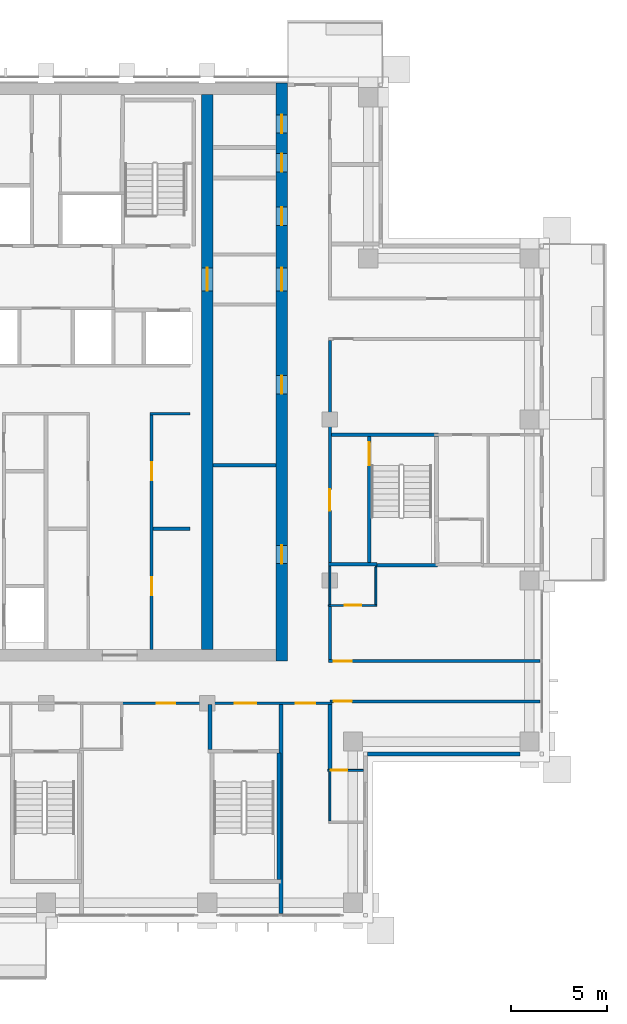
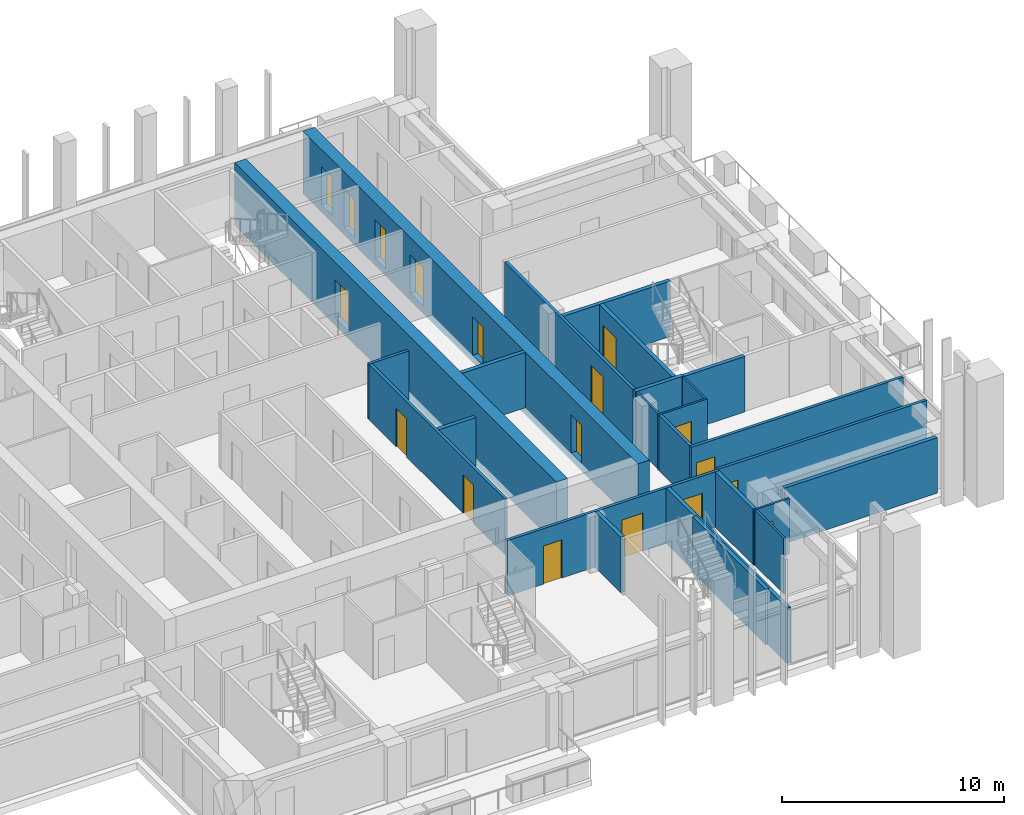
# One storey, part 9 of 17: 25 walls, 18 doors, 18 openings.
"""IFC4 building model written with IfcOpenShell, lengths in metres."""

from ifc_helpers import new_model, si_unit, direction, frame, frame_2d, origin, place, context, subcontext, project, spatial, rectangle, extrude, material, layer, layer_set, type_object, element, fill, save


model = new_model("IFC4")

# Units and contexts
model_context = context("Model", 3, precision=1e-05, world=origin(), true_north=direction((0.0, 1.0)))
body_context = subcontext(model_context, "Body", "Model", "MODEL_VIEW")
ifc_project = project(units=[si_unit("LENGTHUNIT", "METRE"), si_unit("AREAUNIT", "SQUARE_METRE"), si_unit("VOLUMEUNIT", "CUBIC_METRE"), si_unit("PLANEANGLEUNIT", "RADIAN"), si_unit("MASSUNIT", "GRAM", prefix="KILO")], contexts=[model_context])

# Site, building, storey
site_placement = place(None, origin())
site = spatial("IfcSite", under=ifc_project, at=site_placement, CompositionType="ELEMENT")
building_placement = place(site_placement, origin())
building = spatial("IfcBuilding", under=site, at=building_placement, Name="Vermilion Ogive Tower", CompositionType="ELEMENT")
storey_placement = place(building_placement, frame((0.0, 0.0, 192.800048828125)))
storey = spatial("IfcBuildingStorey", under=building, at=storey_placement, Name="L50", CompositionType="ELEMENT", Elevation=192.800048828125)

# Wall, openings, doors
ifc_material_1 = material(Name="Concrete B60", Category="concrete")
ifc_layer_1 = layer(ifc_material_1, 0.60009765625)
ifc_layer_set_1 = layer_set([ifc_layer_1], Name="Core wall 600 B60")
wall_type_1 = type_object("IfcWallType", Name="Core wall 600 B60", PredefinedType="SHEAR", material=ifc_layer_set_1)
wall_1_placement = place(storey_placement, frame((12.300048828125, -8.39990234375, -0.400146484375), z_axis=(0.0, 0.0, 1.0), x_axis=(0.0, 1.0, 0.0)))
wall_1 = element("IfcWall", 1, at=wall_1_placement, inside=storey, type_object=wall_type_1, Name="L50-CORE-E", PredefinedType="SHEAR", context=body_context, shape_type="SweptSolid", body=[
    extrude(rectangle(XDim=30.14990234375, YDim=0.60009765625, at=frame_2d((15.074951171875, 0.0))), origin(), (0.0, 0.0, 1.0), 3.4501953125),
])
opening_1_placement = place(wall_1_placement, frame((5.0830078125, 0.0, 0.39990234375)))
opening_1 = element("IfcOpeningElement", 2, at=opening_1_placement, cuts=wall_1, Name="Opening DAC078", PredefinedType="OPENING", context=body_context, shape_type="SweptSolid", body=[
    extrude(rectangle(XDim=0.949951171875, YDim=2.10009765625, at=frame_2d((0.47509765625, 1.050048828125))), frame((0.0, 0.31005859375, 0.0), z_axis=(0.0, -1.0, 0.0), x_axis=(1.0, 0.0, 0.0)), (0.0, 0.0, 1.0), 0.6201171875),
])
opening_2_placement = place(wall_1_placement, frame((13.932861328125, 0.0, 0.39990234375)))
opening_2 = element("IfcOpeningElement", 3, at=opening_2_placement, cuts=wall_1, Name="Opening DAC079", PredefinedType="OPENING", context=body_context, shape_type="SweptSolid", body=[
    extrude(rectangle(XDim=0.949951171875, YDim=2.10009765625, at=frame_2d((0.47509765625, 1.050048828125))), frame((0.0, 0.31005859375, 0.0), z_axis=(0.0, -1.0, 0.0), x_axis=(1.0, 0.0, 0.0)), (0.0, 0.0, 1.0), 0.6201171875),
])
opening_3_placement = place(wall_1_placement, frame((22.718994140625, 0.0, 0.39990234375)))
opening_3 = element("IfcOpeningElement", 4, at=opening_3_placement, cuts=wall_1, Name="Opening DAC080", PredefinedType="OPENING", context=body_context, shape_type="SweptSolid", body=[
    extrude(rectangle(XDim=0.949951171875, YDim=2.10009765625, at=frame_2d((0.47509765625, 1.050048828125))), frame((0.0, 0.31005859375, 0.0), z_axis=(0.0, -1.0, 0.0), x_axis=(1.0, 0.0, 0.0)), (0.0, 0.0, 1.0), 0.6201171875),
])
opening_4_placement = place(wall_1_placement, frame((25.505615234375, 0.0, 0.39990234375)))
opening_4 = element("IfcOpeningElement", 5, at=opening_4_placement, cuts=wall_1, Name="Opening DAC081", PredefinedType="OPENING", context=body_context, shape_type="SweptSolid", body=[
    extrude(rectangle(XDim=0.949951171875, YDim=2.10009765625, at=frame_2d((0.47509765625, 1.050048828125))), frame((0.0, 0.31005859375, 0.0), z_axis=(0.0, -1.0, 0.0), x_axis=(1.0, 0.0, 0.0)), (0.0, 0.0, 1.0), 0.6201171875),
])
opening_5_placement = place(wall_1_placement, frame((27.53662109375, 0.0, 0.39990234375)))
opening_5 = element("IfcOpeningElement", 6, at=opening_5_placement, cuts=wall_1, Name="Opening DAC082", PredefinedType="OPENING", context=body_context, shape_type="SweptSolid", body=[
    extrude(rectangle(XDim=0.949951171875, YDim=2.10009765625, at=frame_2d((0.47509765625, 1.050048828125))), frame((0.0, 0.31005859375, 0.0), z_axis=(0.0, -1.0, 0.0), x_axis=(1.0, 0.0, 0.0)), (0.0, 0.0, 1.0), 0.6201171875),
])
opening_6_placement = place(wall_1_placement, frame((19.300048828125, 0.0, 0.39990234375)))
opening_6 = element("IfcOpeningElement", 7, at=opening_6_placement, cuts=wall_1, Name="Opening DAL020", PredefinedType="OPENING", context=body_context, shape_type="SweptSolid", body=[
    extrude(rectangle(XDim=1.199951171875, YDim=2.10009765625, at=frame_2d((0.60009765625, 1.050048828125))), frame((0.0, 0.31005859375, 0.0), z_axis=(0.0, -1.0, 0.0), x_axis=(1.0, 0.0, 0.0)), (0.0, 0.0, 1.0), 0.6201171875),
])
ifc_material_2 = material(Name="Timber door leaf", Category="wood")
door_type_1 = type_object("IfcDoorType", Name="Link door 1200 x 2100 FD60S", OperationType="SINGLE_SWING_LEFT", PredefinedType="DOOR", material=ifc_material_2)
door_1_placement = place(opening_6_placement, origin())
door_1 = element("IfcDoor", 8, at=door_1_placement, inside=storey, type_object=door_type_1, Name="L50-CKE-XL", OperationType="SINGLE_SWING_LEFT", OverallHeight=2.10009765625, OverallWidth=1.199951171875, PredefinedType="DOOR", context=body_context, shape_type="SweptSolid", body=[
    extrude(rectangle(XDim=1.199951171875, YDim=2.10009765625, at=frame_2d((0.60009765625, 1.050048828125))), frame((0.0, 0.02490234375, 0.0), z_axis=(0.0, -1.0, 0.0), x_axis=(1.0, 0.0, 0.0)), (0.0, 0.0, 1.0), 0.050048828125),
])
fill(opening_6, door_1)
ifc_material_3 = material(Name="Timber door leaf", Category="wood")
door_type_2 = type_object("IfcDoorType", Name="Service door 950 x 2100 FD60", OperationType="SINGLE_SWING_LEFT", PredefinedType="DOOR", material=ifc_material_3)
door_2_placement = place(opening_1_placement, origin())
door_2 = element("IfcDoor", 9, at=door_2_placement, inside=storey, type_object=door_type_2, Name="L50-CKE-XR0", OperationType="SINGLE_SWING_LEFT", OverallHeight=2.10009765625, OverallWidth=0.949951171875, PredefinedType="DOOR", context=body_context, shape_type="SweptSolid", body=[
    extrude(rectangle(XDim=0.949951171875, YDim=2.10009765625, at=frame_2d((0.47509765625, 1.050048828125))), frame((0.0, 0.02490234375, 0.0), z_axis=(0.0, -1.0, 0.0), x_axis=(1.0, 0.0, 0.0)), (0.0, 0.0, 1.0), 0.050048828125),
])
fill(opening_1, door_2)
door_3_placement = place(opening_2_placement, origin())
door_3 = element("IfcDoor", 10, at=door_3_placement, inside=storey, type_object=door_type_2, Name="L50-CKE-XR1", OperationType="SINGLE_SWING_LEFT", OverallHeight=2.10009765625, OverallWidth=0.949951171875, PredefinedType="DOOR", context=body_context, shape_type="SweptSolid", body=[
    extrude(rectangle(XDim=0.949951171875, YDim=2.10009765625, at=frame_2d((0.47509765625, 1.050048828125))), frame((0.0, 0.02490234375, 0.0), z_axis=(0.0, -1.0, 0.0), x_axis=(1.0, 0.0, 0.0)), (0.0, 0.0, 1.0), 0.050048828125),
])
fill(opening_2, door_3)
door_4_placement = place(opening_3_placement, origin())
door_4 = element("IfcDoor", 11, at=door_4_placement, inside=storey, type_object=door_type_2, Name="L50-CKE-XR2", OperationType="SINGLE_SWING_LEFT", OverallHeight=2.10009765625, OverallWidth=0.949951171875, PredefinedType="DOOR", context=body_context, shape_type="SweptSolid", body=[
    extrude(rectangle(XDim=0.949951171875, YDim=2.10009765625, at=frame_2d((0.47509765625, 1.050048828125))), frame((0.0, 0.02490234375, 0.0), z_axis=(0.0, -1.0, 0.0), x_axis=(1.0, 0.0, 0.0)), (0.0, 0.0, 1.0), 0.050048828125),
])
fill(opening_3, door_4)
door_5_placement = place(opening_4_placement, origin())
door_5 = element("IfcDoor", 12, at=door_5_placement, inside=storey, type_object=door_type_2, Name="L50-CKE-XR3", OperationType="SINGLE_SWING_LEFT", OverallHeight=2.10009765625, OverallWidth=0.949951171875, PredefinedType="DOOR", context=body_context, shape_type="SweptSolid", body=[
    extrude(rectangle(XDim=0.949951171875, YDim=2.10009765625, at=frame_2d((0.47509765625, 1.050048828125))), frame((0.0, 0.02490234375, 0.0), z_axis=(0.0, -1.0, 0.0), x_axis=(1.0, 0.0, 0.0)), (0.0, 0.0, 1.0), 0.050048828125),
])
fill(opening_4, door_5)
door_6_placement = place(opening_5_placement, origin())
door_6 = element("IfcDoor", 13, at=door_6_placement, inside=storey, type_object=door_type_2, Name="L50-CKE-XR4", OperationType="SINGLE_SWING_LEFT", OverallHeight=2.10009765625, OverallWidth=0.949951171875, PredefinedType="DOOR", context=body_context, shape_type="SweptSolid", body=[
    extrude(rectangle(XDim=0.949951171875, YDim=2.10009765625, at=frame_2d((0.47509765625, 1.050048828125))), frame((0.0, 0.02490234375, 0.0), z_axis=(0.0, -1.0, 0.0), x_axis=(1.0, 0.0, 0.0)), (0.0, 0.0, 1.0), 0.050048828125),
])
fill(opening_5, door_6)

# Wall, opening, door
wall_2_placement = place(storey_placement, frame((8.39990234375, -7.800048828125, -0.400146484375), z_axis=(0.0, 0.0, 1.0), x_axis=(0.0, 1.0, 0.0)))
wall_2 = element("IfcWall", 14, at=wall_2_placement, inside=storey, type_object=wall_type_1, Name="L50-CORE-WEB2", PredefinedType="SHEAR", context=body_context, shape_type="SweptSolid", body=[
    extrude(rectangle(XDim=28.949951171875, YDim=0.60009765625, at=frame_2d((14.47509765625, 0.0))), origin(), (0.0, 0.0, 1.0), 3.4501953125),
])
opening_7_placement = place(wall_2_placement, frame((18.699951171875, 0.0, 0.39990234375)))
opening_7 = element("IfcOpeningElement", 15, at=opening_7_placement, cuts=wall_2, Name="Opening DAO015", PredefinedType="OPENING", context=body_context, shape_type="SweptSolid", body=[
    extrude(rectangle(XDim=1.199951171875, YDim=2.10009765625, at=frame_2d((0.60009765625, 1.050048828125))), frame((0.0, 0.31005859375, 0.0), z_axis=(0.0, -1.0, 0.0), x_axis=(1.0, 0.0, 0.0)), (0.0, 0.0, 1.0), 0.6201171875),
])
door_7_placement = place(opening_7_placement, origin())
door_7 = element("IfcDoor", 16, at=door_7_placement, inside=storey, type_object=door_type_1, Name="L50-CKE-XW", OperationType="SINGLE_SWING_LEFT", OverallHeight=2.10009765625, OverallWidth=1.199951171875, PredefinedType="DOOR", context=body_context, shape_type="SweptSolid", body=[
    extrude(rectangle(XDim=1.199951171875, YDim=2.10009765625, at=frame_2d((0.60009765625, 1.050048828125))), frame((0.0, 0.02490234375, 0.0), z_axis=(0.0, -1.0, 0.0), x_axis=(1.0, 0.0, 0.0)), (0.0, 0.0, 1.0), 0.050048828125),
])
fill(opening_7, door_7)

ifc_material_4 = material(Name="Gypsum board partition on steel studs", Category="steel")
ifc_layer_2 = layer(ifc_material_4, 0.10009765625)
ifc_layer_set_2 = layer_set([ifc_layer_2], Name="Partition 100 bath")
wall_type_2 = type_object("IfcWallType", Name="Partition 100 bath", PredefinedType="PARTITIONING", material=ifc_layer_set_2)
wall_3_placement = place(storey_placement, frame((14.699951171875, -14.10009765625, 0.0), z_axis=(0.0, 0.0, 1.0), x_axis=(1.0, 0.0, 0.0)))
wall_3 = element("IfcWall", 17, at=wall_3_placement, inside=storey, type_object=wall_type_2, Name="L50-W-W006", PredefinedType="PARTITIONING", context=body_context, shape_type="SweptSolid", body=[
    extrude(rectangle(XDim=1.85009765625, YDim=0.10009765625, at=frame_2d((0.925048828125, 0.0))), origin(), (0.0, 0.0, 1.0), 3.050048828125),
])
opening_8_placement = place(wall_3_placement, frame((0.14990234375, 0.0, 0.0)))
opening_8 = element("IfcOpeningElement", 18, at=opening_8_placement, cuts=wall_3, Name="Opening D4G3016", PredefinedType="OPENING", context=body_context, shape_type="SweptSolid", body=[
    extrude(rectangle(XDim=0.85009765625, YDim=2.10009765625, at=frame_2d((0.425048828125, 1.050048828125))), frame((0.0, 0.06005859375, 0.0), z_axis=(0.0, -1.0, 0.0), x_axis=(1.0, 0.0, 0.0)), (0.0, 0.0, 1.0), 0.1201171875),
])
ifc_material_5 = material(Name="Timber door leaf", Category="wood")
door_type_3 = type_object("IfcDoorType", Name="Bath door 850 x 2100 FD30", OperationType="SINGLE_SWING_LEFT", PredefinedType="DOOR", material=ifc_material_5)
door_8_placement = place(opening_8_placement, origin())
door_8 = element("IfcDoor", 19, at=door_8_placement, inside=storey, type_object=door_type_3, Name="L50-D-D016", OperationType="SINGLE_SWING_RIGHT", OverallHeight=2.10009765625, OverallWidth=0.85009765625, PredefinedType="DOOR", context=body_context, shape_type="SweptSolid", body=[
    extrude(rectangle(XDim=0.85009765625, YDim=2.10009765625, at=frame_2d((0.425048828125, 1.050048828125))), frame((0.0, 0.02490234375, 0.0), z_axis=(0.0, -1.0, 0.0), x_axis=(1.0, 0.0, 0.0)), (0.0, 0.0, 1.0), 0.050048828125),
])
fill(opening_8, door_8)

wall_4_placement = place(storey_placement, frame((14.72509765625, -5.5, 0.0), z_axis=(0.0, 0.0, 1.0), x_axis=(1.0, 0.0, 0.0)))
wall_4 = element("IfcWall", 20, at=wall_4_placement, inside=storey, type_object=wall_type_2, Name="L50-W-W022", PredefinedType="PARTITIONING", context=body_context, shape_type="SweptSolid", body=[
    extrude(rectangle(XDim=2.52490234375, YDim=0.10009765625, at=frame_2d((1.262451171875, 0.0))), origin(), (0.0, 0.0, 1.0), 3.050048828125),
])
opening_9_placement = place(wall_4_placement, frame((0.849853515625, 0.0, 0.0)))
opening_9 = element("IfcOpeningElement", 21, at=opening_9_placement, cuts=wall_4, Name="Opening D4G3018", PredefinedType="OPENING", context=body_context, shape_type="SweptSolid", body=[
    extrude(rectangle(XDim=0.85009765625, YDim=2.10009765625, at=frame_2d((0.425048828125, 1.050048828125))), frame((0.0, 0.06005859375, 0.0), z_axis=(0.0, -1.0, 0.0), x_axis=(1.0, 0.0, 0.0)), (0.0, 0.0, 1.0), 0.1201171875),
])
door_9_placement = place(opening_9_placement, origin())
door_9 = element("IfcDoor", 22, at=door_9_placement, inside=storey, type_object=door_type_3, Name="L50-D-D018", OperationType="SINGLE_SWING_LEFT", OverallHeight=2.10009765625, OverallWidth=0.85009765625, PredefinedType="DOOR", context=body_context, shape_type="SweptSolid", body=[
    extrude(rectangle(XDim=0.85009765625, YDim=2.10009765625, at=frame_2d((0.425048828125, 1.050048828125))), frame((0.0, 0.02490234375, 0.0), z_axis=(0.0, -1.0, 0.0), x_axis=(1.0, 0.0, 0.0)), (0.0, 0.0, 1.0), 0.050048828125),
])
fill(opening_9, door_9)

# Walls
wall_5_placement = place(storey_placement, frame((14.800048828125, -16.748046875, 0.0), z_axis=(0.0, 0.0, 1.0), x_axis=(0.0, 1.0, 0.0)))
element("IfcWall", 23, at=wall_5_placement, inside=storey, type_object=wall_type_2, Name="L50-W-W073", PredefinedType="PARTITIONING", context=body_context, shape_type="SweptSolid", body=[
    extrude(rectangle(XDim=2.59814453125, YDim=0.10009765625, at=frame_2d((1.299072265625, 0.0))), origin(), (0.0, 0.0, 1.0), 3.050048828125),
])
wall_6_placement = place(storey_placement, frame((14.800048828125, -5.449951171875, 0.0), z_axis=(0.0, 0.0, 1.0), x_axis=(0.0, 1.0, 0.0)))
element("IfcWall", 24, at=wall_6_placement, inside=storey, type_object=wall_type_2, Name="L50-W-W076", PredefinedType="PARTITIONING", context=body_context, shape_type="SweptSolid", body=[
    extrude(rectangle(XDim=2.0, YDim=0.10009765625, at=frame_2d((1.0, 0.0))), origin(), (0.0, 0.0, 1.0), 3.050048828125),
])
wall_7_placement = place(storey_placement, frame((17.199951171875, -5.449951171875, 0.0), z_axis=(0.0, 0.0, 1.0), x_axis=(0.0, 1.0, 0.0)))
element("IfcWall", 25, at=wall_7_placement, inside=storey, type_object=wall_type_2, Name="L50-W-W080", PredefinedType="PARTITIONING", context=body_context, shape_type="SweptSolid", body=[
    extrude(rectangle(XDim=1.949951171875, YDim=0.10009765625, at=frame_2d((0.97509765625, 0.0))), origin(), (0.0, 0.0, 1.0), 3.050048828125),
])

# Wall, openings, doors
ifc_material_6 = material(Name="Gypsum board partition on steel studs", Category="steel")
ifc_layer_3 = layer(ifc_material_6, 0.14990234375)
ifc_layer_set_3 = layer_set([ifc_layer_3], Name="Partition 150 corridor")
wall_type_3 = type_object("IfcWallType", Name="Partition 150 corridor", PredefinedType="PARTITIONING", material=ifc_layer_set_3)
wall_8_placement = place(storey_placement, frame((3.89990234375, -10.60009765625, 0.0), z_axis=(0.0, 0.0, 1.0), x_axis=(1.0, 0.0, 0.0)))
wall_8 = element("IfcWall", 26, at=wall_8_placement, inside=storey, type_object=wall_type_3, Name="L50-W-W016", PredefinedType="PARTITIONING", context=body_context, shape_type="SweptSolid", body=[
    extrude(rectangle(XDim=11.0, YDim=0.14990234375, at=frame_2d((5.5, 0.0))), origin(), (0.0, 0.0, 1.0), 3.050048828125),
])
opening_10_placement = place(wall_8_placement, frame((1.875, 0.0, 0.0)))
opening_10 = element("IfcOpeningElement", 27, at=opening_10_placement, cuts=wall_8, Name="Opening D4G3013", PredefinedType="OPENING", context=body_context, shape_type="SweptSolid", body=[
    extrude(rectangle(XDim=0.949951171875, YDim=2.10009765625, at=frame_2d((0.47509765625, 1.050048828125))), frame((0.0, 0.0849609375, 0.0), z_axis=(0.0, -1.0, 0.0), x_axis=(1.0, 0.0, 0.0)), (0.0, 0.0, 1.0), 0.169921875),
])
opening_11_placement = place(wall_8_placement, frame((5.9501953125, 0.0, 0.0)))
opening_11 = element("IfcOpeningElement", 28, at=opening_11_placement, cuts=wall_8, Name="Opening D4G3029", PredefinedType="OPENING", context=body_context, shape_type="SweptSolid", body=[
    extrude(rectangle(XDim=1.10009765625, YDim=2.10009765625, at=frame_2d((0.550048828125, 1.050048828125))), frame((0.0, 0.0849609375, 0.0), z_axis=(0.0, -1.0, 0.0), x_axis=(1.0, 0.0, 0.0)), (0.0, 0.0, 1.0), 0.169921875),
])
opening_12_placement = place(wall_8_placement, frame((9.125, 0.0, 0.0)))
opening_12 = element("IfcOpeningElement", 29, at=opening_12_placement, cuts=wall_8, Name="Opening D4G3036", PredefinedType="OPENING", context=body_context, shape_type="SweptSolid", body=[
    extrude(rectangle(XDim=1.0, YDim=2.10009765625, at=frame_2d((0.5, 1.050048828125))), frame((0.0, 0.0849609375, 0.0), z_axis=(0.0, -1.0, 0.0), x_axis=(1.0, 0.0, 0.0)), (0.0, 0.0, 1.0), 0.169921875),
])
ifc_material_7 = material(Name="Timber door leaf", Category="wood")
door_type_4 = type_object("IfcDoorType", Name="Stair door 1100 x 2100 FD60S", OperationType="SINGLE_SWING_LEFT", PredefinedType="DOOR", material=ifc_material_7)
door_10_placement = place(opening_11_placement, origin())
door_10 = element("IfcDoor", 30, at=door_10_placement, inside=storey, type_object=door_type_4, Name="L50-D-D029", OperationType="SINGLE_SWING_LEFT", OverallHeight=2.10009765625, OverallWidth=1.10009765625, PredefinedType="DOOR", context=body_context, shape_type="SweptSolid", body=[
    extrude(rectangle(XDim=1.10009765625, YDim=2.10009765625, at=frame_2d((0.550048828125, 1.050048828125))), frame((0.0, 0.02490234375, 0.0), z_axis=(0.0, -1.0, 0.0), x_axis=(1.0, 0.0, 0.0)), (0.0, 0.0, 1.0), 0.050048828125),
])
fill(opening_11, door_10)
ifc_material_8 = material(Name="Timber door leaf", Category="wood")
door_type_5 = type_object("IfcDoorType", Name="Unit door 1000 x 2100 FD30S", OperationType="SINGLE_SWING_LEFT", PredefinedType="DOOR", material=ifc_material_8)
door_11_placement = place(opening_12_placement, origin())
door_11 = element("IfcDoor", 31, at=door_11_placement, inside=storey, type_object=door_type_5, Name="L50-D-D036", OperationType="SINGLE_SWING_LEFT", OverallHeight=2.10009765625, OverallWidth=1.0, PredefinedType="DOOR", context=body_context, shape_type="SweptSolid", body=[
    extrude(rectangle(XDim=1.0, YDim=2.10009765625, at=frame_2d((0.5, 1.050048828125))), frame((0.0, 0.02490234375, 0.0), z_axis=(0.0, -1.0, 0.0), x_axis=(1.0, 0.0, 0.0)), (0.0, 0.0, 1.0), 0.050048828125),
])
fill(opening_12, door_11)
ifc_material_9 = material(Name="Timber door leaf", Category="wood")
door_type_6 = type_object("IfcDoorType", Name="Unit door 950 x 2100 FD30S", OperationType="SINGLE_SWING_LEFT", PredefinedType="DOOR", material=ifc_material_9)
door_12_placement = place(opening_10_placement, origin())
door_12 = element("IfcDoor", 32, at=door_12_placement, inside=storey, type_object=door_type_6, Name="L50-D-D013", OperationType="SINGLE_SWING_LEFT", OverallHeight=2.10009765625, OverallWidth=0.949951171875, PredefinedType="DOOR", context=body_context, shape_type="SweptSolid", body=[
    extrude(rectangle(XDim=0.949951171875, YDim=2.10009765625, at=frame_2d((0.47509765625, 1.050048828125))), frame((0.0, 0.02490234375, 0.0), z_axis=(0.0, -1.0, 0.0), x_axis=(1.0, 0.0, 0.0)), (0.0, 0.0, 1.0), 0.050048828125),
])
fill(opening_10, door_12)

# Wall, opening, door
wall_9_placement = place(storey_placement, frame((14.800048828125, -10.5, 0.0), z_axis=(0.0, 0.0, 1.0), x_axis=(1.0, 0.0, 0.0)))
wall_9 = element("IfcWall", 33, at=wall_9_placement, inside=storey, type_object=wall_type_3, Name="L50-W-W018", PredefinedType="PARTITIONING", context=body_context, shape_type="SweptSolid", body=[
    extrude(rectangle(XDim=10.949951171875, YDim=0.14990234375, at=frame_2d((5.47509765625, 0.0))), origin(), (0.0, 0.0, 1.0), 3.050048828125),
])
opening_13_placement = place(wall_9_placement, frame((0.199951171875, 0.0, 0.0)))
opening_13 = element("IfcOpeningElement", 34, at=opening_13_placement, cuts=wall_9, Name="Opening D4G3015", PredefinedType="OPENING", context=body_context, shape_type="SweptSolid", body=[
    extrude(rectangle(XDim=0.949951171875, YDim=2.10009765625, at=frame_2d((0.47509765625, 1.050048828125))), frame((0.0, 0.0849609375, 0.0), z_axis=(0.0, -1.0, 0.0), x_axis=(1.0, 0.0, 0.0)), (0.0, 0.0, 1.0), 0.169921875),
])
door_13_placement = place(opening_13_placement, origin())
door_13 = element("IfcDoor", 35, at=door_13_placement, inside=storey, type_object=door_type_6, Name="L50-D-D015", OperationType="SINGLE_SWING_RIGHT", OverallHeight=2.10009765625, OverallWidth=0.949951171875, PredefinedType="DOOR", context=body_context, shape_type="SweptSolid", body=[
    extrude(rectangle(XDim=0.949951171875, YDim=2.10009765625, at=frame_2d((0.47509765625, 1.050048828125))), frame((0.0, 0.02490234375, 0.0), z_axis=(0.0, -1.0, 0.0), x_axis=(1.0, 0.0, 0.0)), (0.0, 0.0, 1.0), 0.050048828125),
])
fill(opening_13, door_13)

wall_10_placement = place(storey_placement, frame((14.72509765625, -8.39990234375, 0.0), z_axis=(0.0, 0.0, 1.0), x_axis=(1.0, 0.0, 0.0)))
wall_10 = element("IfcWall", 36, at=wall_10_placement, inside=storey, type_object=wall_type_3, Name="L50-W-W020", PredefinedType="PARTITIONING", context=body_context, shape_type="SweptSolid", body=[
    extrude(rectangle(XDim=11.02490234375, YDim=0.14990234375, at=frame_2d((5.512451171875, 0.0))), origin(), (0.0, 0.0, 1.0), 3.050048828125),
])
opening_14_placement = place(wall_10_placement, frame((0.27490234375, 0.0, 0.0)))
opening_14 = element("IfcOpeningElement", 37, at=opening_14_placement, cuts=wall_10, Name="Opening D4G3017", PredefinedType="OPENING", context=body_context, shape_type="SweptSolid", body=[
    extrude(rectangle(XDim=0.949951171875, YDim=2.10009765625, at=frame_2d((0.47509765625, 1.050048828125))), frame((0.0, 0.0849609375, 0.0), z_axis=(0.0, -1.0, 0.0), x_axis=(1.0, 0.0, 0.0)), (0.0, 0.0, 1.0), 0.169921875),
])
door_14_placement = place(opening_14_placement, origin())
door_14 = element("IfcDoor", 38, at=door_14_placement, inside=storey, type_object=door_type_6, Name="L50-D-D017", OperationType="SINGLE_SWING_LEFT", OverallHeight=2.10009765625, OverallWidth=0.949951171875, PredefinedType="DOOR", context=body_context, shape_type="SweptSolid", body=[
    extrude(rectangle(XDim=0.949951171875, YDim=2.10009765625, at=frame_2d((0.47509765625, 1.050048828125))), frame((0.0, 0.02490234375, 0.0), z_axis=(0.0, -1.0, 0.0), x_axis=(1.0, 0.0, 0.0)), (0.0, 0.0, 1.0), 0.050048828125),
])
fill(opening_14, door_14)

# Wall
wall_11_placement = place(storey_placement, frame((14.800048828125, -8.324951171875, 0.0), z_axis=(0.0, 0.0, 1.0), x_axis=(0.0, 1.0, 0.0)))
element("IfcWall", 39, at=wall_11_placement, inside=storey, type_object=wall_type_3, Name="L50-W-W075", PredefinedType="PARTITIONING", context=body_context, shape_type="SweptSolid", body=[
    extrude(rectangle(XDim=2.77490234375, YDim=0.14990234375, at=frame_2d((1.387451171875, 0.0))), origin(), (0.0, 0.0, 1.0), 3.050048828125),
])

# Wall, opening, door
wall_12_placement = place(storey_placement, frame((14.800048828125, -3.35009765625, 0.0), z_axis=(0.0, 0.0, 1.0), x_axis=(0.0, 1.0, 0.0)))
wall_12 = element("IfcWall", 40, at=wall_12_placement, inside=storey, type_object=wall_type_3, Name="L50-W-W077", PredefinedType="PARTITIONING", context=body_context, shape_type="SweptSolid", body=[
    extrude(rectangle(XDim=11.675048828125, YDim=0.14990234375, at=frame_2d((5.83740234375, 0.0))), origin(), (0.0, 0.0, 1.0), 3.050048828125),
])
opening_15_placement = place(wall_12_placement, frame((2.800048828125, 0.0, 0.0)))
opening_15 = element("IfcOpeningElement", 41, at=opening_15_placement, cuts=wall_12, Name="Opening D4G3031", PredefinedType="OPENING", context=body_context, shape_type="SweptSolid", body=[
    extrude(rectangle(XDim=1.10009765625, YDim=2.10009765625, at=frame_2d((0.550048828125, 1.050048828125))), frame((0.0, 0.0849609375, 0.0), z_axis=(0.0, -1.0, 0.0), x_axis=(1.0, 0.0, 0.0)), (0.0, 0.0, 1.0), 0.169921875),
])
door_15_placement = place(opening_15_placement, origin())
door_15 = element("IfcDoor", 42, at=door_15_placement, inside=storey, type_object=door_type_4, Name="L50-D-D031", OperationType="SINGLE_SWING_LEFT", OverallHeight=2.10009765625, OverallWidth=1.10009765625, PredefinedType="DOOR", context=body_context, shape_type="SweptSolid", body=[
    extrude(rectangle(XDim=1.10009765625, YDim=2.10009765625, at=frame_2d((0.550048828125, 1.050048828125))), frame((0.0, 0.02490234375, 0.0), z_axis=(0.0, -1.0, 0.0), x_axis=(1.0, 0.0, 0.0)), (0.0, 0.0, 1.0), 0.050048828125),
])
fill(opening_15, door_15)

# Wall
wall_13_placement = place(storey_placement, frame((5.425048828125, 4.5, 0.0), z_axis=(0.0, 0.0, 1.0), x_axis=(1.0, 0.0, 0.0)))
element("IfcWall", 43, at=wall_13_placement, inside=storey, type_object=wall_type_3, Name="L50-CK-W-W010", PredefinedType="PARTITIONING", context=body_context, shape_type="SweptSolid", body=[
    extrude(rectangle(XDim=2.074951171875, YDim=0.14990234375, at=frame_2d((1.03759765625, 0.0))), origin(), (0.0, 0.0, 1.0), 3.050048828125),
])

# Wall, openings, doors
wall_14_placement = place(storey_placement, frame((5.5, -7.799072265625, 0.0), z_axis=(0.0, 0.0, 1.0), x_axis=(0.0, 1.0, 0.0)))
wall_14 = element("IfcWall", 44, at=wall_14_placement, inside=storey, type_object=wall_type_3, Name="L50-CK-W-W038", PredefinedType="PARTITIONING", context=body_context, shape_type="SweptSolid", body=[
    extrude(rectangle(XDim=12.22412109375, YDim=0.14990234375, at=frame_2d((6.112060546875, 0.0))), origin(), (0.0, 0.0, 1.0), 3.050048828125),
])
opening_16_placement = place(wall_14_placement, frame((2.823974609375, 0.0, 0.0)))
opening_16 = element("IfcOpeningElement", 45, at=opening_16_placement, cuts=wall_14, Name="Opening DAA452", PredefinedType="OPENING", context=body_context, shape_type="SweptSolid", body=[
    extrude(rectangle(XDim=0.949951171875, YDim=2.10009765625, at=frame_2d((0.47509765625, 1.050048828125))), frame((0.0, 0.0849609375, 0.0), z_axis=(0.0, -1.0, 0.0), x_axis=(1.0, 0.0, 0.0)), (0.0, 0.0, 1.0), 0.169921875),
])
opening_17_placement = place(wall_14_placement, frame((8.823974609375, 0.0, 0.0)))
opening_17 = element("IfcOpeningElement", 46, at=opening_17_placement, cuts=wall_14, Name="Opening DAA453", PredefinedType="OPENING", context=body_context, shape_type="SweptSolid", body=[
    extrude(rectangle(XDim=0.949951171875, YDim=2.10009765625, at=frame_2d((0.47509765625, 1.050048828125))), frame((0.0, 0.0849609375, 0.0), z_axis=(0.0, -1.0, 0.0), x_axis=(1.0, 0.0, 0.0)), (0.0, 0.0, 1.0), 0.169921875),
])
door_16_placement = place(opening_16_placement, origin())
door_16 = element("IfcDoor", 47, at=door_16_placement, inside=storey, type_object=door_type_2, Name="L50-CK-D-D010", OperationType="SINGLE_SWING_LEFT", OverallHeight=2.10009765625, OverallWidth=0.949951171875, PredefinedType="DOOR", context=body_context, shape_type="SweptSolid", body=[
    extrude(rectangle(XDim=0.949951171875, YDim=2.10009765625, at=frame_2d((0.47509765625, 1.050048828125))), frame((0.0, 0.02490234375, 0.0), z_axis=(0.0, -1.0, 0.0), x_axis=(1.0, 0.0, 0.0)), (0.0, 0.0, 1.0), 0.050048828125),
])
fill(opening_16, door_16)
door_17_placement = place(opening_17_placement, origin())
door_17 = element("IfcDoor", 48, at=door_17_placement, inside=storey, type_object=door_type_2, Name="L50-CK-D-D011", OperationType="SINGLE_SWING_LEFT", OverallHeight=2.10009765625, OverallWidth=0.949951171875, PredefinedType="DOOR", context=body_context, shape_type="SweptSolid", body=[
    extrude(rectangle(XDim=0.949951171875, YDim=2.10009765625, at=frame_2d((0.47509765625, 1.050048828125))), frame((0.0, 0.02490234375, 0.0), z_axis=(0.0, -1.0, 0.0), x_axis=(1.0, 0.0, 0.0)), (0.0, 0.0, 1.0), 0.050048828125),
])
fill(opening_17, door_17)

# Walls
ifc_material_10 = material(Name="Gypsum board partition on steel studs", Category="steel")
ifc_layer_4 = layer(ifc_material_10, 0.199951171875)
ifc_layer_set_4 = layer_set([ifc_layer_4], Name="Partition 200 party")
wall_type_4 = type_object("IfcWallType", Name="Partition 200 party", PredefinedType="PARTITIONING", material=ifc_layer_set_4)
wall_15_placement = place(storey_placement, frame((8.550048828125, -12.998046875, 0.0), z_axis=(0.0, 0.0, 1.0), x_axis=(0.0, 1.0, 0.0)))
element("IfcWall", 49, at=wall_15_placement, inside=storey, type_object=wall_type_4, Name="L50-W-W069", PredefinedType="PARTITIONING", context=body_context, shape_type="SweptSolid", body=[
    extrude(rectangle(XDim=2.322998046875, YDim=0.199951171875, at=frame_2d((1.16162109375, 0.0))), origin(), (0.0, 0.0, 1.0), 3.050048828125),
])
wall_16_placement = place(storey_placement, frame((14.800048828125, -14.050048828125, 0.0), z_axis=(0.0, 0.0, 1.0), x_axis=(0.0, 1.0, 0.0)))
element("IfcWall", 50, at=wall_16_placement, inside=storey, type_object=wall_type_4, Name="L50-W-W074", PredefinedType="PARTITIONING", context=body_context, shape_type="SweptSolid", body=[
    extrude(rectangle(XDim=3.375, YDim=0.199951171875, at=frame_2d((1.6875, 0.0))), origin(), (0.0, 0.0, 1.0), 3.050048828125),
])
wall_17_placement = place(storey_placement, frame((5.574951171875, -1.5, 0.0), z_axis=(0.0, 0.0, 1.0), x_axis=(1.0, 0.0, 0.0)))
element("IfcWall", 51, at=wall_17_placement, inside=storey, type_object=wall_type_4, Name="L50-CK-W-W005", PredefinedType="PARTITIONING", context=body_context, shape_type="SweptSolid", body=[
    extrude(rectangle(XDim=1.925048828125, YDim=0.199951171875, at=frame_2d((0.96240234375, 0.0))), origin(), (0.0, 0.0, 1.0), 3.050048828125),
])
wall_18_placement = place(storey_placement, frame((8.700927734375, 1.81591796875, 0.0), z_axis=(0.0, 0.0, 1.0), x_axis=(1.0, 0.0, 0.0)))
element("IfcWall", 52, at=wall_18_placement, inside=storey, type_object=wall_type_4, Name="L50-CKE-W-W001", PredefinedType="PARTITIONING", context=body_context, shape_type="SweptSolid", body=[
    extrude(rectangle(XDim=3.298095703125, YDim=0.199951171875, at=frame_2d((1.64892578125, 0.0))), origin(), (0.0, 0.0, 1.0), 3.050048828125),
])
ifc_material_11 = material(Name="Concrete B60", Category="concrete")
ifc_layer_5 = layer(ifc_material_11, 0.199951171875)
ifc_layer_set_5 = layer_set([ifc_layer_5], Name="Stair shaft wall 200 Concrete B60")
wall_type_5 = type_object("IfcWallType", Name="Stair shaft wall 200 Concrete B60", PredefinedType="SOLIDWALL", material=ifc_layer_set_5)
wall_19_placement = place(storey_placement, frame((14.72509765625, -3.349853515625, 0.0), z_axis=(0.0, 0.0, 1.0), x_axis=(1.0, 0.0, 0.0)))
element("IfcWall", 53, at=wall_19_placement, inside=storey, type_object=wall_type_5, Name="L50-W-W027", PredefinedType="SOLIDWALL", context=body_context, shape_type="SweptSolid", body=[
    extrude(rectangle(XDim=2.52490234375, YDim=0.199951171875, at=frame_2d((1.262451171875, 0.0))), origin(), (0.0, 0.0, 1.0), 3.050048828125),
])
wall_20_placement = place(storey_placement, frame((17.14990234375, -3.39990234375, 0.0), z_axis=(0.0, 0.0, 1.0), x_axis=(1.0, 0.0, 0.0)))
element("IfcWall", 54, at=wall_20_placement, inside=storey, type_object=wall_type_5, Name="L50-W-W028", PredefinedType="SOLIDWALL", context=body_context, shape_type="SweptSolid", body=[
    extrude(rectangle(XDim=3.25, YDim=0.199951171875, at=frame_2d((1.625, 0.0))), origin(), (0.0, 0.0, 1.0), 3.050048828125),
])
wall_21_placement = place(storey_placement, frame((14.875, 3.39990234375, 0.0), z_axis=(0.0, 0.0, 1.0), x_axis=(1.0, 0.0, 0.0)))
element("IfcWall", 55, at=wall_21_placement, inside=storey, type_object=wall_type_5, Name="L50-W-W035", PredefinedType="SOLIDWALL", context=body_context, shape_type="SweptSolid", body=[
    extrude(rectangle(XDim=5.574951171875, YDim=0.199951171875, at=frame_2d((2.78759765625, 0.0))), origin(), (0.0, 0.0, 1.0), 3.050048828125),
])
wall_22_placement = place(storey_placement, frame((12.14990234375, -19.798095703125, 0.0), z_axis=(0.0, 0.0, 1.0), x_axis=(0.0, 1.0, 0.0)))
element("IfcWall", 56, at=wall_22_placement, inside=storey, type_object=wall_type_5, Name="L50-W-W071", PredefinedType="SOLIDWALL", context=body_context, shape_type="SweptSolid", body=[
    extrude(rectangle(XDim=6.59619140625, YDim=0.199951171875, at=frame_2d((3.298095703125, 0.0))), origin(), (0.0, 0.0, 1.0), 3.050048828125),
])

# Wall, opening, door
wall_23_placement = place(storey_placement, frame((16.85009765625, -3.35009765625, 0.0), z_axis=(0.0, 0.0, 1.0), x_axis=(0.0, 1.0, 0.0)))
wall_23 = element("IfcWall", 57, at=wall_23_placement, inside=storey, type_object=wall_type_5, Name="L50-W-W079", PredefinedType="SOLIDWALL", context=body_context, shape_type="SweptSolid", body=[
    extrude(rectangle(XDim=6.650146484375, YDim=0.199951171875, at=frame_2d((3.3251953125, 0.0))), origin(), (0.0, 0.0, 1.0), 3.050048828125),
])
opening_18_placement = place(wall_23_placement, frame((5.14990234375, 0.0, 0.0)))
opening_18 = element("IfcOpeningElement", 58, at=opening_18_placement, cuts=wall_23, Name="Opening D4G3032", PredefinedType="OPENING", context=body_context, shape_type="SweptSolid", body=[
    extrude(rectangle(XDim=1.199951171875, YDim=2.10009765625, at=frame_2d((0.60009765625, 1.050048828125))), frame((0.0, 0.10986328125, 0.0), z_axis=(0.0, -1.0, 0.0), x_axis=(1.0, 0.0, 0.0)), (0.0, 0.0, 1.0), 0.219970703125),
])
ifc_material_12 = material(Name="Timber door leaf", Category="wood")
door_type_7 = type_object("IfcDoorType", Name="Stair door 1200 x 2100 FD60S", OperationType="SINGLE_SWING_LEFT", PredefinedType="DOOR", material=ifc_material_12)
door_18_placement = place(opening_18_placement, origin())
door_18 = element("IfcDoor", 59, at=door_18_placement, inside=storey, type_object=door_type_7, Name="L50-D-D032", OperationType="SINGLE_SWING_LEFT", OverallHeight=2.10009765625, OverallWidth=1.199951171875, PredefinedType="DOOR", context=body_context, shape_type="SweptSolid", body=[
    extrude(rectangle(XDim=1.199951171875, YDim=2.10009765625, at=frame_2d((0.60009765625, 1.050048828125))), frame((0.0, 0.02490234375, 0.0), z_axis=(0.0, -1.0, 0.0), x_axis=(1.0, 0.0, 0.0)), (0.0, 0.0, 1.0), 0.050048828125),
])
fill(opening_18, door_18)

# Walls
wall_24_placement = place(storey_placement, frame((12.25, -21.550048828125, 0.0), z_axis=(0.0, 0.0, 1.0), x_axis=(0.0, 1.0, 0.0)))
element("IfcWall", 60, at=wall_24_placement, inside=storey, type_object=wall_type_5, Name="L50-W-W072-A", PredefinedType="SOLIDWALL", context=body_context, shape_type="SweptSolid", body=[
    extrude(rectangle(XDim=10.875, YDim=0.199951171875, at=frame_2d((5.4375, 0.0))), origin(), (0.0, 0.0, 1.0), 3.050048828125),
])
ifc_material_13 = material(Name="Aluminium window wall framing", Category="aluminium")
ifc_layer_6 = layer(ifc_material_13, 0.199951171875)
ifc_layer_set_6 = layer_set([ifc_layer_6], Name="Window wall")
wall_type_6 = type_object("IfcWallType", Name="Window wall", PredefinedType="STANDARD", material=ifc_layer_set_6)
wall_25_placement = place(storey_placement, frame((16.75, -13.25, 0.0), z_axis=(0.0, 0.0, 1.0), x_axis=(1.0, 0.0, 0.0)))
element("IfcWall", 61, at=wall_25_placement, inside=storey, type_object=wall_type_6, Name="Window wall X21", PredefinedType="STANDARD", context=body_context, shape_type="SweptSolid", body=[
    extrude(rectangle(XDim=7.949951171875, YDim=0.199951171875, at=frame_2d((3.97509765625, 0.0))), origin(), (0.0, 0.0, 1.0), 3.050048828125),
])

save(model, "model.ifc")
